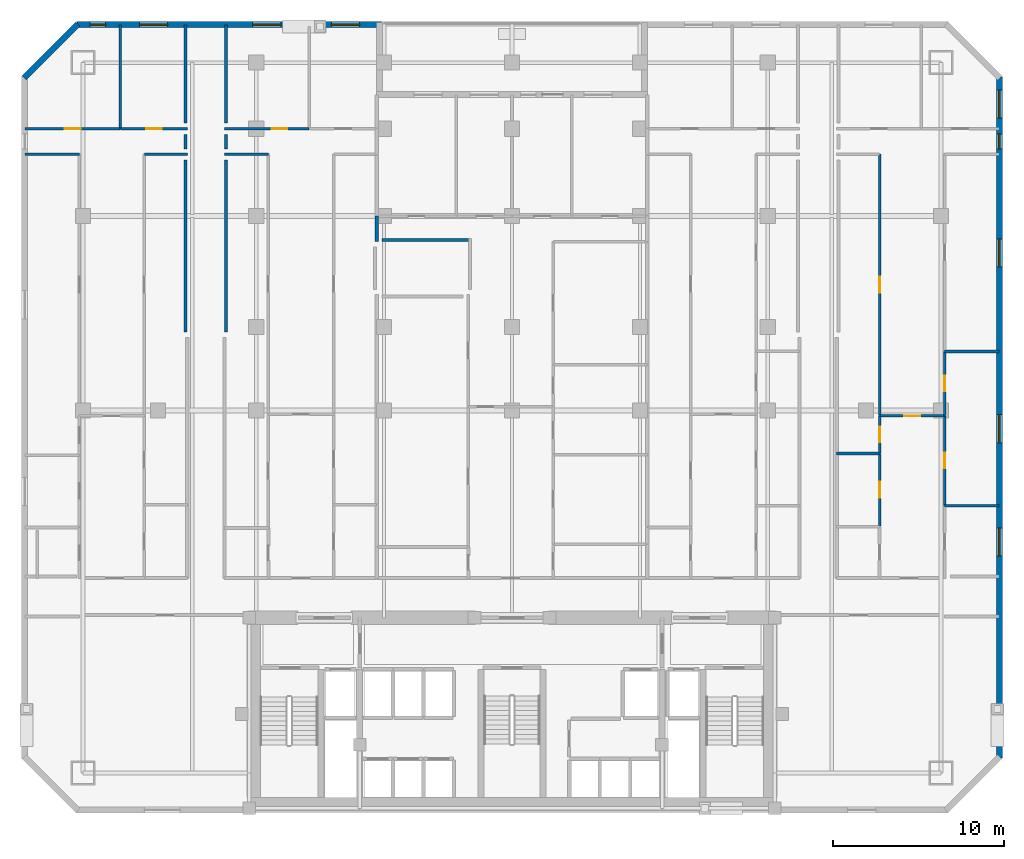
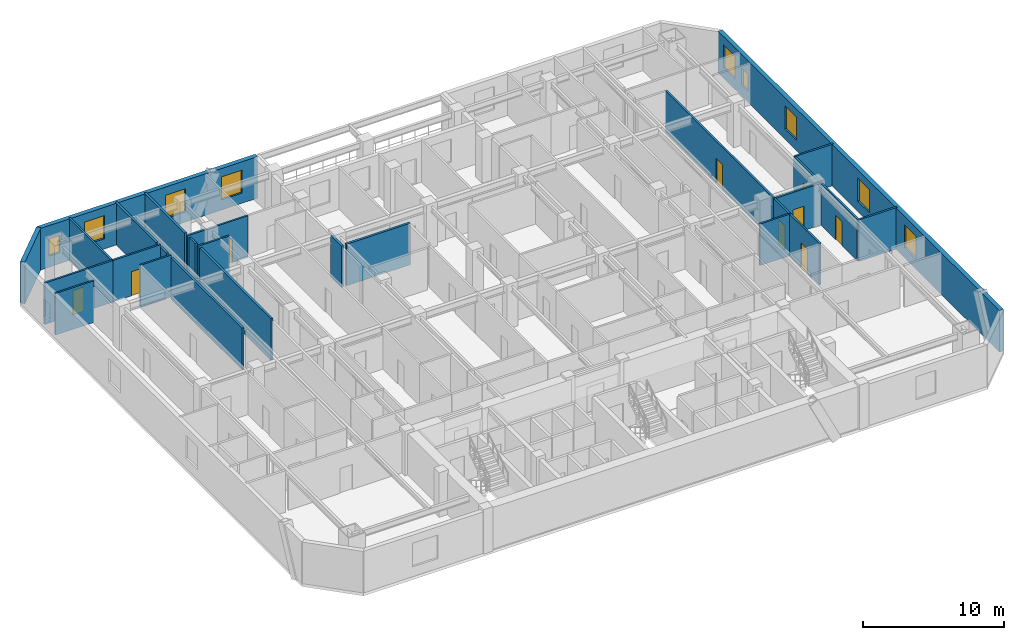
# One storey, part 7 of 10: 27 walls, 9 doors, 9 windows, 18 openings.
"""IFC4 building model written with IfcOpenShell, lengths in metres."""

import ifcopenshell
import ifcopenshell.guid

model = None  # the IFC model being written
_history = None  # IfcOwnerHistory: only IFC2X3 demands one
_inside = {}  # id of a spatial element -> (the spatial element, [elements in it])
_under = {}  # id of a project, library or spatial element -> (it, [spatial elements below it])
_declared = {}  # id of a project -> (the project, [libraries it declares])
_typed = {}  # id of a type object -> (the type object, [elements of that type])
_made_of = {}  # id of a material, layer set ... -> (it, [elements and type objects made of it])


def new_model(schema):
    """Start an empty IFC model of exactly this schema.

    Asked for "IFC4X3", IfcOpenShell would pick the latest addendum, in which some entities
    have other attributes; the version numbers below select the first issue.
    IFC2X3 requires an IfcOwnerHistory on every rooted entity: one is made here for all.
    """
    global model, _history
    if schema == "IFC4X3":
        model = ifcopenshell.file(schema_version=(4, 3, 0, 0))
    else:
        model = ifcopenshell.file(schema=schema)
    _inside.clear()
    _under.clear()
    _declared.clear()
    _typed.clear()
    _made_of.clear()
    _history = None
    if model.schema == "IFC2X3":
        org = make("IfcOrganization", Name="unknown")
        user = make(
            "IfcPersonAndOrganization",
            ThePerson=make("IfcPerson", FamilyName="unknown"),
            TheOrganization=org,
        )
        app = make(
            "IfcApplication",
            ApplicationDeveloper=org,
            Version="unknown",
            ApplicationFullName="unknown",
            ApplicationIdentifier="unknown",
        )
        _history = make(
            "IfcOwnerHistory",
            OwningUser=user,
            OwningApplication=app,
            ChangeAction="ADDED",
            CreationDate=0,
        )
    return model


def make(cls, **values):
    """One entity of the class cls with the attributes given. An attribute that is None is left unset."""
    return model.create_entity(
        cls, **{name: value for name, value in values.items() if value is not None}
    )


def rooted(cls, **values):
    """An entity with a GlobalId (a new one), such as an element, a storey or a relation."""
    return make(cls, GlobalId=ifcopenshell.guid.new(), OwnerHistory=_history, **values)


def si_unit(unit_type, name, prefix=None):
    """IfcSIUnit, for example si_unit("LENGTHUNIT", "METRE", prefix="MILLI")."""
    return make("IfcSIUnit", UnitType=unit_type, Prefix=prefix, Name=name)


def assignment(units):
    """IfcUnitAssignment: the units of a project."""
    return None if units is None else make("IfcUnitAssignment", Units=units)


def point(xyz):
    """IfcCartesianPoint."""
    return None if xyz is None else make("IfcCartesianPoint", Coordinates=xyz)


def direction(xyz):
    """IfcDirection."""
    return None if xyz is None else make("IfcDirection", DirectionRatios=xyz)


def frame(location, z_axis=None, x_axis=None):
    """IfcAxis2Placement3D, a coordinate frame: its origin and axes. An axis left out is left unset."""
    return make(
        "IfcAxis2Placement3D",
        Location=point(location),
        Axis=direction(z_axis),
        RefDirection=direction(x_axis),
    )


def frame_2d(location, x_axis=None):
    """IfcAxis2Placement2D, a coordinate frame in the plane: its origin and x axis."""
    return make(
        "IfcAxis2Placement2D", Location=point(location), RefDirection=direction(x_axis)
    )


def origin():
    """The frame at (0, 0, 0) with its axes left unset."""
    return frame((0.0, 0.0, 0.0))


def place(relative_to, where):
    """IfcLocalPlacement: puts the frame where relative to a parent placement (None: the world)."""
    return make(
        "IfcLocalPlacement", PlacementRelTo=relative_to, RelativePlacement=where
    )


def context(
    kind, dimensions, precision=None, world=None, true_north=None, identifier=None
):
    """IfcGeometricRepresentationContext, for example the 3D "Model" context."""
    return make(
        "IfcGeometricRepresentationContext",
        ContextIdentifier=identifier,
        ContextType=kind,
        CoordinateSpaceDimension=dimensions,
        Precision=precision,
        WorldCoordinateSystem=world,
        TrueNorth=true_north,
    )


def subcontext(parent, identifier, kind, view, scale=None):
    """IfcGeometricRepresentationSubContext, for example "Body" below "Model"."""
    return make(
        "IfcGeometricRepresentationSubContext",
        ContextIdentifier=identifier,
        ContextType=kind,
        ParentContext=parent,
        TargetScale=scale,
        TargetView=view,
    )


def project(units=None, contexts=None):
    """IfcProject with its units and contexts."""
    return rooted(
        "IfcProject",
        Name="project",
        RepresentationContexts=contexts,
        UnitsInContext=assignment(units),
    )


def spatial(cls, under=None, at=None, **own):
    """A site, building, storey or space (cls), placed at a placement, below another one or the project."""
    s = rooted(cls, ObjectPlacement=at, **own)
    if under is not None:
        _under.setdefault(under.id(), (under, []))[1].append(s)
    return s


def profile(cls, at=None, kind="AREA", **sizes):
    """A parametric profile (cls). Its sizes go by their IFC names, for example OverallWidth=200.0."""
    return make(cls, ProfileType=kind, Position=at, **sizes)


def rectangle(**sizes):
    """IfcRectangleProfileDef."""
    return profile("IfcRectangleProfileDef", **sizes)


def extrude(swept, where, along, depth):
    """IfcExtrudedAreaSolid: the profile swept, set in the frame where, extruded along a direction by depth."""
    return make(
        "IfcExtrudedAreaSolid",
        SweptArea=swept,
        Position=where,
        ExtrudedDirection=direction(along),
        Depth=depth,
    )


def shape(context_of_items, identifier, shape_type, items):
    """IfcShapeRepresentation: the items that make up one representation, for example the "Body"."""
    return make(
        "IfcShapeRepresentation",
        ContextOfItems=context_of_items,
        RepresentationIdentifier=identifier,
        RepresentationType=shape_type,
        Items=items,
    )


def material(Name=None, Category=None):
    """IfcMaterial."""
    return make("IfcMaterial", Name=Name, Category=Category)


def layer(
    of_material, thickness, ventilated=None, Name=None, Category=None, Priority=None
):
    """IfcMaterialLayer: one layer of a wall or slab, of a material (None: an air gap)."""
    return make(
        "IfcMaterialLayer",
        Material=of_material,
        LayerThickness=thickness,
        IsVentilated=ventilated,
        Name=Name,
        Category=Category,
        Priority=Priority,
    )


def layer_set(layers, Name=None):
    """IfcMaterialLayerSet."""
    return make("IfcMaterialLayerSet", MaterialLayers=layers, LayerSetName=Name)


def made_of(thing, what):
    """Note that an element or type object is made of a material, layer set ...; save() writes the relation."""
    if what is not None:
        _made_of.setdefault(what.id(), (what, []))[1].append(thing)
    return thing


def type_object(cls, material=None, **own):
    """A type object (cls), such as IfcWallType, which elements share."""
    return made_of(rooted(cls, **own), material)


def element(
    cls,
    number,
    at=None,
    inside=None,
    cuts=None,
    type_object=None,
    material=None,
    context=None,
    identifier="Body",
    shape_type=None,
    held_by="IfcProductDefinitionShape",
    body=None,
    shapes=None,
    **own,
):
    """One element of the class cls, such as IfcWall. Its Tag is "e" and its number.

    at: its placement. inside: the storey or other place that contains it. cuts: it is an
    opening in that element (IfcRelVoidsElement). A single representation is given by context,
    identifier, shape_type and body (its items); several are given by shapes. held_by: the class
    of the entity that holds the representations. save() writes the other relations.
    """
    e = rooted(cls, Tag="e%d" % number, ObjectPlacement=at, **own)
    if body is not None:
        shapes = [shape(context, identifier, shape_type, body)]
    if shapes is not None:
        e.Representation = make(held_by, Representations=shapes)
    if inside is not None:
        _inside.setdefault(inside.id(), (inside, []))[1].append(e)
    if cuts is not None:
        rooted(
            "IfcRelVoidsElement", RelatingBuildingElement=cuts, RelatedOpeningElement=e
        )
    if type_object is not None:
        _typed.setdefault(type_object.id(), (type_object, []))[1].append(e)
    return made_of(e, material)


def fill(opening, filler):
    """IfcRelFillsElement: the door or window that sits in an opening."""
    return rooted(
        "IfcRelFillsElement",
        RelatingOpeningElement=opening,
        RelatedBuildingElement=filler,
    )


def aggregate(whole, parts):
    """IfcRelAggregates: a whole, such as a stair, and the parts it consists of."""
    return rooted("IfcRelAggregates", RelatingObject=whole, RelatedObjects=parts)


def save(model, path):
    """Write the relations noted so far, then the file.

    IfcRelAggregates (storeys below a building ...), IfcRelContainedInSpatialStructure (elements
    in a storey), IfcRelDefinesByType, IfcRelAssociatesMaterial and IfcRelDeclares: one each for
    every whole, place, type object, material and project.
    """
    for whole, parts in _under.values():
        aggregate(whole, parts)
    for where, things in _inside.values():
        rooted(
            "IfcRelContainedInSpatialStructure",
            RelatedElements=things,
            RelatingStructure=where,
        )
    for kind, things in _typed.values():
        rooted("IfcRelDefinesByType", RelatedObjects=things, RelatingType=kind)
    for what, things in _made_of.values():
        rooted("IfcRelAssociatesMaterial", RelatedObjects=things, RelatingMaterial=what)
    for by, libraries in _declared.values():
        rooted("IfcRelDeclares", RelatingContext=by, RelatedDefinitions=libraries)
    model.write(path)


model = new_model("IFC4")

# Units and contexts
model_context = context("Model", 3, precision=1e-05, world=origin(), true_north=direction((0.0, 1.0)))
body_context = subcontext(model_context, "Body", "Model", "MODEL_VIEW")
ifc_project = project(units=[si_unit("LENGTHUNIT", "METRE"), si_unit("AREAUNIT", "SQUARE_METRE"), si_unit("VOLUMEUNIT", "CUBIC_METRE"), si_unit("PLANEANGLEUNIT", "RADIAN"), si_unit("MASSUNIT", "GRAM", prefix="KILO")], contexts=[model_context])

# Site, building, storey
site_placement = place(None, origin())
site = spatial("IfcSite", under=ifc_project, at=site_placement, CompositionType="ELEMENT")
building_placement = place(site_placement, origin())
building = spatial("IfcBuilding", under=site, at=building_placement, Name="Ventersveld Concourse Tower", CompositionType="ELEMENT")
storey_placement = place(building_placement, frame((0.0, 0.0, 64.449951171875)))
storey = spatial("IfcBuildingStorey", under=building, at=storey_placement, Name="L15", CompositionType="ELEMENT", Elevation=64.449951171875)

# Walls
ifc_material_1 = material(Name="Fire-rated autoclaved aerated masonry blockwork", Category="masonry")
ifc_layer_1 = layer(ifc_material_1, 0.179931640625)
ifc_layer_set_1 = layer_set([ifc_layer_1], Name="Fire-rated autoclaved aerated masonry blockwork")
wall_type_1 = type_object("IfcWallType", Name="WL-CORR-180", PredefinedType="PARTITIONING", material=ifc_layer_set_1)
wall_1_placement = place(storey_placement, frame((9.6201171875, 39.794921875, 0.0), z_axis=(0.0, 0.0, 1.0), x_axis=(0.0, -1.0, 0.0)))
element("IfcWall", 1, at=wall_1_placement, inside=storey, type_object=wall_type_1, Name="L15 Room Enclosure Wall SP-L15-15NW-LIV", PredefinedType="PARTITIONING", context=body_context, shape_type="SweptSolid", body=[
    extrude(rectangle(XDim=0.849853515625, YDim=0.179931640625, at=frame_2d((0.4248046875, 0.0))), origin(), (0.0, 0.0, 1.0), 3.60009765625),
])
wall_2_placement = place(storey_placement, frame((9.6201171875, 38.294921875, 0.0), z_axis=(0.0, 0.0, 1.0), x_axis=(0.0, -1.0, 0.0)))
element("IfcWall", 2, at=wall_2_placement, inside=storey, type_object=wall_type_1, Name="L15 Room Enclosure Wall SP-L15-15NW-DENR", PredefinedType="PARTITIONING", context=body_context, shape_type="SweptSolid", body=[
    extrude(rectangle(XDim=10.0849609375, YDim=0.179931640625, at=frame_2d((5.04248046875, 0.0))), origin(), (0.0, 0.0, 1.0), 3.60009765625),
])
wall_3_placement = place(storey_placement, frame((9.6201171875, 46.18994140625, 0.0), z_axis=(0.0, 0.0, 1.0), x_axis=(0.0, -1.0, 0.0)))
element("IfcWall", 3, at=wall_3_placement, inside=storey, type_object=wall_type_1, Name="L15 Room Enclosure Wall SP-L15-15NW-BR2", PredefinedType="PARTITIONING", context=body_context, shape_type="SweptSolid", body=[
    extrude(rectangle(XDim=5.744873046875, YDim=0.179931640625, at=frame_2d((2.87255859375, 0.0))), origin(), (0.0, 0.0, 1.0), 3.60009765625),
])
wall_4_placement = place(storey_placement, frame((11.97998046875, 38.945068359375, 0.0), z_axis=(0.0, 0.0, 1.0), x_axis=(0.0, 1.0, 0.0)))
element("IfcWall", 4, at=wall_4_placement, inside=storey, type_object=wall_type_1, Name="L15 Room Enclosure Wall SP-L15-15CW-LIV", PredefinedType="PARTITIONING", context=body_context, shape_type="SweptSolid", body=[
    extrude(rectangle(XDim=0.849853515625, YDim=0.179931640625, at=frame_2d((0.4248046875, 0.0))), origin(), (0.0, 0.0, 1.0), 3.60009765625),
])
wall_5_placement = place(storey_placement, frame((11.97998046875, 28.2099609375, 0.0), z_axis=(0.0, 0.0, 1.0), x_axis=(0.0, 1.0, 0.0)))
element("IfcWall", 5, at=wall_5_placement, inside=storey, type_object=wall_type_1, Name="L15 Room Enclosure Wall SP-L15-15CW-SEML0", PredefinedType="PARTITIONING", context=body_context, shape_type="SweptSolid", body=[
    extrude(rectangle(XDim=10.0849609375, YDim=0.179931640625, at=frame_2d((5.04248046875, 0.0))), origin(), (0.0, 0.0, 1.0), 3.60009765625),
])
wall_6_placement = place(storey_placement, frame((11.97998046875, 40.445068359375, 0.0), z_axis=(0.0, 0.0, 1.0), x_axis=(0.0, 1.0, 0.0)))
element("IfcWall", 6, at=wall_6_placement, inside=storey, type_object=wall_type_1, Name="L15 Room Enclosure Wall SP-L15-15CW-BR1", PredefinedType="PARTITIONING", context=body_context, shape_type="SweptSolid", body=[
    extrude(rectangle(XDim=5.744873046875, YDim=0.179931640625, at=frame_2d((2.87255859375, 0.0))), origin(), (0.0, 0.0, 1.0), 3.60009765625),
])
wall_7_placement = place(storey_placement, frame((26.379638671875, 33.590087890625, 0.0), z_axis=(0.0, 0.0, 1.0), x_axis=(-1.0, 0.0, 0.0)))
element("IfcWall", 7, at=wall_7_placement, inside=storey, type_object=wall_type_1, Name="L15 Room Enclosure Wall SP-L15-15CM-LIV", PredefinedType="PARTITIONING", context=body_context, shape_type="SweptSolid", body=[
    extrude(rectangle(XDim=5.24462890625, YDim=0.179931640625, at=frame_2d((2.622314453125, 0.0))), origin(), (0.0, 0.0, 1.0), 3.60009765625),
])
ifc_layer_2 = layer(ifc_material_1, 0.199951171875)
ifc_layer_set_2 = layer_set([ifc_layer_2], Name="Fire-rated autoclaved aerated masonry blockwork")
wall_type_2 = type_object("IfcWallType", Name="WL-DEMISE-200", PredefinedType="PARTITIONING", material=ifc_layer_set_2)
wall_8_placement = place(storey_placement, frame((20.81005859375, 33.4951171875, 0.0), z_axis=(0.0, 0.0, 1.0), x_axis=(0.0, 1.0, 0.0)))
element("IfcWall", 8, at=wall_8_placement, inside=storey, type_object=wall_type_2, Name="L15 Interior Partition SP-L15-15CW-DENR-SP-L15-15CM-LIV", PredefinedType="PARTITIONING", context=body_context, shape_type="SweptSolid", body=[
    extrude(rectangle(XDim=1.509765625, YDim=0.199951171875, at=frame_2d((0.7548828125, 0.0))), origin(), (0.0, 0.0, 1.0), 3.60009765625),
])
ifc_material_2 = material(Name="Autoclaved aerated masonry blockwork", Category="masonry")
ifc_layer_3 = layer(ifc_material_2, 0.14990234375)
ifc_layer_set_3 = layer_set([ifc_layer_3], Name="Autoclaved aerated masonry blockwork")
wall_type_3 = type_object("IfcWallType", Name="WL-INT-150", PredefinedType="PARTITIONING", material=ifc_layer_set_3)
wall_9_placement = place(storey_placement, frame((0.2099609375, 38.6201171875, 0.0), z_axis=(0.0, 0.0, 1.0), x_axis=(1.0, 0.0, 0.0)))
element("IfcWall", 9, at=wall_9_placement, inside=storey, type_object=wall_type_3, Name="L15 Interior Partition SP-L15-15NW-LIV-SP-L15-15NW-DENL", PredefinedType="PARTITIONING", context=body_context, shape_type="SweptSolid", body=[
    extrude(rectangle(XDim=3.172119140625, YDim=0.14990234375, at=frame_2d((1.5859375, 0.0))), origin(), (0.0, 0.0, 1.0), 3.60009765625),
])
wall_10_placement = place(storey_placement, frame((7.194091796875, 38.6201171875, 0.0), z_axis=(0.0, 0.0, 1.0), x_axis=(1.0, 0.0, 0.0)))
element("IfcWall", 10, at=wall_10_placement, inside=storey, type_object=wall_type_3, Name="L15 Interior Partition SP-L15-15NW-LIV-SP-L15-15NW-DENR", PredefinedType="PARTITIONING", context=body_context, shape_type="SweptSolid", body=[
    extrude(rectangle(XDim=2.52099609375, YDim=0.14990234375, at=frame_2d((1.260498046875, 0.0))), origin(), (0.0, 0.0, 1.0), 3.60009765625),
])

# Wall, opening, door
wall_11_placement = place(storey_placement, frame((0.2099609375, 40.1201171875, 0.0), z_axis=(0.0, 0.0, 1.0), x_axis=(1.0, 0.0, 0.0)))
wall_11 = element("IfcWall", 11, at=wall_11_placement, inside=storey, type_object=wall_type_3, Name="L15 Interior Partition SP-L15-15NW-LIV-SP-L15-15NW-BR1", PredefinedType="PARTITIONING", context=body_context, shape_type="SweptSolid", body=[
    extrude(rectangle(XDim=5.566162109375, YDim=0.14990234375, at=frame_2d((2.783203125, 0.0))), origin(), (0.0, 0.0, 1.0), 3.60009765625),
])
opening_1_placement = place(wall_11_placement, frame((2.322998046875, 0.0, 0.0)))
opening_1 = element("IfcOpeningElement", 12, at=opening_1_placement, cuts=wall_11, Name="Opening ID1", PredefinedType="OPENING", context=body_context, shape_type="SweptSolid", body=[
    extrude(rectangle(XDim=0.919921875, YDim=2.10009765625, at=frame_2d((0.4599609375, 1.050048828125))), frame((0.0, 0.0849609375, 0.0), z_axis=(0.0, -1.0, 0.0), x_axis=(1.0, 0.0, 0.0)), (0.0, 0.0, 1.0), 0.169921875),
])
ifc_material_3 = material(Name="Solid-core hardwood veneer timber", Category="wood")
door_type = type_object("IfcDoorType", Name="DR-ROOM-092", OperationType="NOTDEFINED", PredefinedType="DOOR", material=ifc_material_3)
door_1_placement = place(opening_1_placement, origin())
door_1 = element("IfcDoor", 13, at=door_1_placement, inside=storey, type_object=door_type, Name="L15 Interior Door SP-L15-15NW-LIV to SP-L15-15NW-BR1 (D-L15-0670)", OperationType="SINGLE_SWING_RIGHT", OverallHeight=2.10009765625, OverallWidth=0.919921875, PredefinedType="DOOR", context=body_context, shape_type="SweptSolid", body=[
    extrude(rectangle(XDim=0.919921875, YDim=2.10009765625, at=frame_2d((0.4599609375, 1.050048828125))), frame((0.0, 0.02490234375, 0.0), z_axis=(0.0, -1.0, 0.0), x_axis=(1.0, 0.0, 0.0)), (0.0, 0.0, 1.0), 0.050048828125),
])
fill(opening_1, door_1)

wall_12_placement = place(storey_placement, frame((5.80615234375, 40.1201171875, 0.0), z_axis=(0.0, 0.0, 1.0), x_axis=(1.0, 0.0, 0.0)))
wall_12 = element("IfcWall", 14, at=wall_12_placement, inside=storey, type_object=wall_type_3, Name="L15 Interior Partition SP-L15-15NW-LIV-SP-L15-15NW-BR2", PredefinedType="PARTITIONING", context=body_context, shape_type="SweptSolid", body=[
    extrude(rectangle(XDim=3.908935546875, YDim=0.14990234375, at=frame_2d((1.95458984375, 0.0))), origin(), (0.0, 0.0, 1.0), 3.60009765625),
])
opening_2_placement = place(wall_12_placement, frame((1.494384765625, 0.0, 0.0)))
opening_2 = element("IfcOpeningElement", 15, at=opening_2_placement, cuts=wall_12, Name="Opening ID1", PredefinedType="OPENING", context=body_context, shape_type="SweptSolid", body=[
    extrude(rectangle(XDim=0.919921875, YDim=2.10009765625, at=frame_2d((0.4599609375, 1.050048828125))), frame((0.0, 0.0849609375, 0.0), z_axis=(0.0, -1.0, 0.0), x_axis=(1.0, 0.0, 0.0)), (0.0, 0.0, 1.0), 0.169921875),
])
door_2_placement = place(opening_2_placement, origin())
door_2 = element("IfcDoor", 16, at=door_2_placement, inside=storey, type_object=door_type, Name="L15 Interior Door SP-L15-15NW-LIV to SP-L15-15NW-BR2 (D-L15-0671)", OperationType="SINGLE_SWING_LEFT", OverallHeight=2.10009765625, OverallWidth=0.919921875, PredefinedType="DOOR", context=body_context, shape_type="SweptSolid", body=[
    extrude(rectangle(XDim=0.919921875, YDim=2.10009765625, at=frame_2d((0.4599609375, 1.050048828125))), frame((0.0, 0.02490234375, 0.0), z_axis=(0.0, -1.0, 0.0), x_axis=(1.0, 0.0, 0.0)), (0.0, 0.0, 1.0), 0.050048828125),
])
fill(opening_2, door_2)

# Wall
wall_13_placement = place(storey_placement, frame((5.771240234375, 40.114990234375, 0.0), z_axis=(0.0, 0.0, 1.0), x_axis=(0.0, 1.0, 0.0)))
element("IfcWall", 17, at=wall_13_placement, inside=storey, type_object=wall_type_3, Name="L15 Interior Partition SP-L15-15NW-BR1-SP-L15-15NW-BR2", PredefinedType="PARTITIONING", context=body_context, shape_type="SweptSolid", body=[
    extrude(rectangle(XDim=6.074951171875, YDim=0.14990234375, at=frame_2d((3.03759765625, 0.0))), origin(), (0.0, 0.0, 1.0), 3.60009765625),
])

# Wall, opening, door
wall_14_placement = place(storey_placement, frame((50.2958984375, 23.2822265625, 0.0), z_axis=(0.0, 0.0, 1.0), x_axis=(1.0, 0.0, 0.0)))
wall_14 = element("IfcWall", 18, at=wall_14_placement, inside=storey, type_object=wall_type_3, Name="L15 Interior Partition SP-L15-15NE-FOY-SP-L15-15NE-LIV", PredefinedType="PARTITIONING", context=body_context, shape_type="SweptSolid", body=[
    extrude(rectangle(XDim=3.83203125, YDim=0.14990234375, at=frame_2d((1.916015625, 0.0))), origin(), (0.0, 0.0, 1.0), 3.60009765625),
])
opening_3_placement = place(wall_14_placement, frame((1.4560546875, 0.0, 0.0)))
opening_3 = element("IfcOpeningElement", 19, at=opening_3_placement, cuts=wall_14, Name="Opening ID1", PredefinedType="OPENING", context=body_context, shape_type="SweptSolid", body=[
    extrude(rectangle(XDim=0.919921875, YDim=2.10009765625, at=frame_2d((0.4599609375, 1.050048828125))), frame((0.0, 0.0849609375, 0.0), z_axis=(0.0, -1.0, 0.0), x_axis=(1.0, 0.0, 0.0)), (0.0, 0.0, 1.0), 0.169921875),
])
door_3_placement = place(opening_3_placement, origin())
door_3 = element("IfcDoor", 20, at=door_3_placement, inside=storey, type_object=door_type, Name="L15 Interior Door SP-L15-15NE-FOY to SP-L15-15NE-LIV (D-L15-0672)", OperationType="SINGLE_SWING_RIGHT", OverallHeight=2.10009765625, OverallWidth=0.919921875, PredefinedType="DOOR", context=body_context, shape_type="SweptSolid", body=[
    extrude(rectangle(XDim=0.919921875, YDim=2.10009765625, at=frame_2d((0.4599609375, 1.050048828125))), frame((0.0, 0.02490234375, 0.0), z_axis=(0.0, -1.0, 0.0), x_axis=(1.0, 0.0, 0.0)), (0.0, 0.0, 1.0), 0.050048828125),
])
fill(opening_3, door_3)

wall_15_placement = place(storey_placement, frame((50.30078125, 16.81640625, 0.0), z_axis=(0.0, 0.0, 1.0), x_axis=(0.0, 1.0, 0.0)))
wall_15 = element("IfcWall", 21, at=wall_15_placement, inside=storey, type_object=wall_type_3, Name="L15 Interior Partition SP-L15-15NE-FOY-SP-L15-15NE-PANL0", PredefinedType="PARTITIONING", context=body_context, shape_type="SweptSolid", body=[
    extrude(rectangle(XDim=4.268798828125, YDim=0.14990234375, at=frame_2d((2.13427734375, 0.0))), origin(), (0.0, 0.0, 1.0), 3.60009765625),
])
opening_4_placement = place(wall_15_placement, frame((1.67431640625, 0.0, 0.0)))
opening_4 = element("IfcOpeningElement", 22, at=opening_4_placement, cuts=wall_15, Name="Opening ID1", PredefinedType="OPENING", context=body_context, shape_type="SweptSolid", body=[
    extrude(rectangle(XDim=0.919921875, YDim=2.10009765625, at=frame_2d((0.4599609375, 1.050048828125))), frame((0.0, 0.0849609375, 0.0), z_axis=(0.0, -1.0, 0.0), x_axis=(1.0, 0.0, 0.0)), (0.0, 0.0, 1.0), 0.169921875),
])
door_4_placement = place(opening_4_placement, origin())
door_4 = element("IfcDoor", 23, at=door_4_placement, inside=storey, type_object=door_type, Name="L15 Interior Door SP-L15-15NE-FOY to SP-L15-15NE-PANL0 (D-L15-0674)", OperationType="SINGLE_SWING_RIGHT", OverallHeight=2.10009765625, OverallWidth=0.919921875, PredefinedType="DOOR", context=body_context, shape_type="SweptSolid", body=[
    extrude(rectangle(XDim=0.919921875, YDim=2.10009765625, at=frame_2d((0.4599609375, 1.050048828125))), frame((0.0, 0.02490234375, 0.0), z_axis=(0.0, -1.0, 0.0), x_axis=(1.0, 0.0, 0.0)), (0.0, 0.0, 1.0), 0.050048828125),
])
fill(opening_4, door_4)

wall_16_placement = place(storey_placement, frame((50.30078125, 21.114990234375, 0.0), z_axis=(0.0, 0.0, 1.0), x_axis=(0.0, 1.0, 0.0)))
wall_16 = element("IfcWall", 24, at=wall_16_placement, inside=storey, type_object=wall_type_3, Name="L15 Interior Partition SP-L15-15NE-FOY-SP-L15-15NE-DENL", PredefinedType="PARTITIONING", context=body_context, shape_type="SweptSolid", body=[
    extrude(rectangle(XDim=2.172119140625, YDim=0.14990234375, at=frame_2d((1.0859375, 0.0))), origin(), (0.0, 0.0, 1.0), 3.60009765625),
])
opening_5_placement = place(wall_16_placement, frame((0.6259765625, 0.0, 0.0)))
opening_5 = element("IfcOpeningElement", 25, at=opening_5_placement, cuts=wall_16, Name="Opening ID1", PredefinedType="OPENING", context=body_context, shape_type="SweptSolid", body=[
    extrude(rectangle(XDim=0.919921875, YDim=2.10009765625, at=frame_2d((0.4599609375, 1.050048828125))), frame((0.0, 0.0849609375, 0.0), z_axis=(0.0, -1.0, 0.0), x_axis=(1.0, 0.0, 0.0)), (0.0, 0.0, 1.0), 0.169921875),
])
door_5_placement = place(opening_5_placement, origin())
door_5 = element("IfcDoor", 26, at=door_5_placement, inside=storey, type_object=door_type, Name="L15 Interior Door SP-L15-15NE-FOY to SP-L15-15NE-DENL (D-L15-0675)", OperationType="SINGLE_SWING_LEFT", OverallHeight=2.10009765625, OverallWidth=0.919921875, PredefinedType="DOOR", context=body_context, shape_type="SweptSolid", body=[
    extrude(rectangle(XDim=0.919921875, YDim=2.10009765625, at=frame_2d((0.4599609375, 1.050048828125))), frame((0.0, 0.02490234375, 0.0), z_axis=(0.0, -1.0, 0.0), x_axis=(1.0, 0.0, 0.0)), (0.0, 0.0, 1.0), 0.050048828125),
])
fill(opening_5, door_5)

wall_17_placement = place(storey_placement, frame((54.122802734375, 18.04052734375, 0.0), z_axis=(0.0, 0.0, 1.0), x_axis=(0.0, 1.0, 0.0)))
wall_17 = element("IfcWall", 27, at=wall_17_placement, inside=storey, type_object=wall_type_3, Name="L15 Interior Partition SP-L15-15NE-FOY-SP-L15-15NE-DENR", PredefinedType="PARTITIONING", context=body_context, shape_type="SweptSolid", body=[
    extrude(rectangle(XDim=5.24658203125, YDim=0.14990234375, at=frame_2d((2.623291015625, 0.0))), origin(), (0.0, 0.0, 1.0), 3.60009765625),
])
opening_6_placement = place(wall_17_placement, frame((2.163330078125, 0.0, 0.0)))
opening_6 = element("IfcOpeningElement", 28, at=opening_6_placement, cuts=wall_17, Name="Opening ID1", PredefinedType="OPENING", context=body_context, shape_type="SweptSolid", body=[
    extrude(rectangle(XDim=0.919921875, YDim=2.10009765625, at=frame_2d((0.4599609375, 1.050048828125))), frame((0.0, 0.0849609375, 0.0), z_axis=(0.0, -1.0, 0.0), x_axis=(1.0, 0.0, 0.0)), (0.0, 0.0, 1.0), 0.169921875),
])
door_6_placement = place(opening_6_placement, origin())
door_6 = element("IfcDoor", 29, at=door_6_placement, inside=storey, type_object=door_type, Name="L15 Interior Door SP-L15-15NE-FOY to SP-L15-15NE-DENR (D-L15-0677)", OperationType="SINGLE_SWING_LEFT", OverallHeight=2.10009765625, OverallWidth=0.919921875, PredefinedType="DOOR", context=body_context, shape_type="SweptSolid", body=[
    extrude(rectangle(XDim=0.919921875, YDim=2.10009765625, at=frame_2d((0.4599609375, 1.050048828125))), frame((0.0, 0.02490234375, 0.0), z_axis=(0.0, -1.0, 0.0), x_axis=(1.0, 0.0, 0.0)), (0.0, 0.0, 1.0), 0.050048828125),
])
fill(opening_6, door_6)

wall_18_placement = place(storey_placement, frame((50.30078125, 23.317138671875, 0.0), z_axis=(0.0, 0.0, 1.0), x_axis=(0.0, 1.0, 0.0)))
wall_18 = element("IfcWall", 30, at=wall_18_placement, inside=storey, type_object=wall_type_3, Name="L15 Interior Partition SP-L15-15NE-LIV-SP-L15-15NE-DENL", PredefinedType="PARTITIONING", context=body_context, shape_type="SweptSolid", body=[
    extrude(rectangle(XDim=15.307861328125, YDim=0.14990234375, at=frame_2d((7.65380859375, 0.0))), origin(), (0.0, 0.0, 1.0), 3.60009765625),
])
opening_7_placement = place(wall_18_placement, frame((7.19384765625, 0.0, 0.0)))
opening_7 = element("IfcOpeningElement", 31, at=opening_7_placement, cuts=wall_18, Name="Opening ID1", PredefinedType="OPENING", context=body_context, shape_type="SweptSolid", body=[
    extrude(rectangle(XDim=0.919921875, YDim=2.10009765625, at=frame_2d((0.4599609375, 1.050048828125))), frame((0.0, 0.0849609375, 0.0), z_axis=(0.0, -1.0, 0.0), x_axis=(1.0, 0.0, 0.0)), (0.0, 0.0, 1.0), 0.169921875),
])
door_7_placement = place(opening_7_placement, origin())
door_7 = element("IfcDoor", 32, at=door_7_placement, inside=storey, type_object=door_type, Name="L15 Interior Door SP-L15-15NE-LIV to SP-L15-15NE-DENL (D-L15-0678)", OperationType="SINGLE_SWING_RIGHT", OverallHeight=2.10009765625, OverallWidth=0.919921875, PredefinedType="DOOR", context=body_context, shape_type="SweptSolid", body=[
    extrude(rectangle(XDim=0.919921875, YDim=2.10009765625, at=frame_2d((0.4599609375, 1.050048828125))), frame((0.0, 0.02490234375, 0.0), z_axis=(0.0, -1.0, 0.0), x_axis=(1.0, 0.0, 0.0)), (0.0, 0.0, 1.0), 0.050048828125),
])
fill(opening_7, door_7)

wall_19_placement = place(storey_placement, frame((54.122802734375, 23.317138671875, 0.0), z_axis=(0.0, 0.0, 1.0), x_axis=(0.0, 1.0, 0.0)))
wall_19 = element("IfcWall", 33, at=wall_19_placement, inside=storey, type_object=wall_type_3, Name="L15 Interior Partition SP-L15-15NE-LIV-SP-L15-15NE-DENR", PredefinedType="PARTITIONING", context=body_context, shape_type="SweptSolid", body=[
    extrude(rectangle(XDim=3.74755859375, YDim=0.14990234375, at=frame_2d((1.873779296875, 0.0))), origin(), (0.0, 0.0, 1.0), 3.60009765625),
])
opening_8_placement = place(wall_19_placement, frame((1.413818359375, 0.0, 0.0)))
opening_8 = element("IfcOpeningElement", 34, at=opening_8_placement, cuts=wall_19, Name="Opening ID1", PredefinedType="OPENING", context=body_context, shape_type="SweptSolid", body=[
    extrude(rectangle(XDim=0.919921875, YDim=2.10009765625, at=frame_2d((0.4599609375, 1.050048828125))), frame((0.0, 0.0849609375, 0.0), z_axis=(0.0, -1.0, 0.0), x_axis=(1.0, 0.0, 0.0)), (0.0, 0.0, 1.0), 0.169921875),
])
door_8_placement = place(opening_8_placement, origin())
door_8 = element("IfcDoor", 35, at=door_8_placement, inside=storey, type_object=door_type, Name="L15 Interior Door SP-L15-15NE-LIV to SP-L15-15NE-DENR (D-L15-0679)", OperationType="SINGLE_SWING_LEFT", OverallHeight=2.10009765625, OverallWidth=0.919921875, PredefinedType="DOOR", context=body_context, shape_type="SweptSolid", body=[
    extrude(rectangle(XDim=0.919921875, YDim=2.10009765625, at=frame_2d((0.4599609375, 1.050048828125))), frame((0.0, 0.02490234375, 0.0), z_axis=(0.0, -1.0, 0.0), x_axis=(1.0, 0.0, 0.0)), (0.0, 0.0, 1.0), 0.050048828125),
])
fill(opening_8, door_8)

# Walls
wall_20_placement = place(storey_placement, frame((47.784912109375, 21.080078125, 0.0), z_axis=(0.0, 0.0, 1.0), x_axis=(1.0, 0.0, 0.0)))
element("IfcWall", 36, at=wall_20_placement, inside=storey, type_object=wall_type_3, Name="L15 Interior Partition SP-L15-15NE-PANL0-SP-L15-15NE-DENL", PredefinedType="PARTITIONING", context=body_context, shape_type="SweptSolid", body=[
    extrude(rectangle(XDim=2.52099609375, YDim=0.14990234375, at=frame_2d((1.260498046875, 0.0))), origin(), (0.0, 0.0, 1.0), 3.60009765625),
])
for number, where, z_axis, x_axis, name in (
    (37, (54.117919921875, 18.005615234375, 0.0), (0.0, 0.0, 1.0), (1.0, 0.0, 0.0), "L15 Interior Partition SP-L15-15NE-KIT-SP-L15-15NE-DENR"),
    (38, (54.117919921875, 27.059814453125, 0.0), (0.0, 0.0, 1.0), (1.0, 0.0, 0.0), "L15 Interior Partition SP-L15-15NE-DENR-SP-L15-15NE-DENS"),
):
    element("IfcWall", number, at=place(storey_placement, frame(where, z_axis=z_axis, x_axis=x_axis)), inside=storey, type_object=wall_type_3, Name=name, PredefinedType="PARTITIONING", context=body_context, shape_type="SweptSolid", body=[
        extrude(rectangle(XDim=3.172119140625, YDim=0.14990234375, at=frame_2d((1.5859375, 0.0))), origin(), (0.0, 0.0, 1.0), 3.60009765625),
    ])
wall_21_placement = place(storey_placement, frame((11.885009765625, 38.6201171875, 0.0), z_axis=(0.0, 0.0, 1.0), x_axis=(1.0, 0.0, 0.0)))
element("IfcWall", 39, at=wall_21_placement, inside=storey, type_object=wall_type_3, Name="L15 Interior Partition SP-L15-15CW-LIV-SP-L15-15CW-SEML0", PredefinedType="PARTITIONING", context=body_context, shape_type="SweptSolid", body=[
    extrude(rectangle(XDim=2.586181640625, YDim=0.14990234375, at=frame_2d((1.29296875, 0.0))), origin(), (0.0, 0.0, 1.0), 3.60009765625),
])

# Wall, opening, door
wall_22_placement = place(storey_placement, frame((11.885009765625, 40.1201171875, 0.0), z_axis=(0.0, 0.0, 1.0), x_axis=(1.0, 0.0, 0.0)))
wall_22 = element("IfcWall", 40, at=wall_22_placement, inside=storey, type_object=wall_type_3, Name="L15 Interior Partition SP-L15-15CW-LIV-SP-L15-15CW-BR1", PredefinedType="PARTITIONING", context=body_context, shape_type="SweptSolid", body=[
    extrude(rectangle(XDim=4.973388671875, YDim=0.14990234375, at=frame_2d((2.48681640625, 0.0))), origin(), (0.0, 0.0, 1.0), 3.60009765625),
])
opening_9_placement = place(wall_22_placement, frame((2.772705078125, 0.0, 0.0)))
opening_9 = element("IfcOpeningElement", 41, at=opening_9_placement, cuts=wall_22, Name="Opening ID1", PredefinedType="OPENING", context=body_context, shape_type="SweptSolid", body=[
    extrude(rectangle(XDim=0.919921875, YDim=2.10009765625, at=frame_2d((0.4599609375, 1.050048828125))), frame((0.0, 0.0849609375, 0.0), z_axis=(0.0, -1.0, 0.0), x_axis=(1.0, 0.0, 0.0)), (0.0, 0.0, 1.0), 0.169921875),
])
door_9_placement = place(opening_9_placement, origin())
door_9 = element("IfcDoor", 42, at=door_9_placement, inside=storey, type_object=door_type, Name="L15 Interior Door SP-L15-15CW-LIV to SP-L15-15CW-BR1 (D-L15-0690)", OperationType="SINGLE_SWING_RIGHT", OverallHeight=2.10009765625, OverallWidth=0.919921875, PredefinedType="DOOR", context=body_context, shape_type="SweptSolid", body=[
    extrude(rectangle(XDim=0.919921875, YDim=2.10009765625, at=frame_2d((0.4599609375, 1.050048828125))), frame((0.0, 0.02490234375, 0.0), z_axis=(0.0, -1.0, 0.0), x_axis=(1.0, 0.0, 0.0)), (0.0, 0.0, 1.0), 0.050048828125),
])
fill(opening_9, door_9)

# Wall, openings, windows
ifc_material_4 = material(Name="Precast concrete C45/55", Category="concrete")
ifc_layer_4 = layer(ifc_material_4, 0.35009765625)
ifc_layer_set_4 = layer_set([ifc_layer_4], Name="Precast concrete C45/55")
wall_type_4 = type_object("IfcWallType", Name="WL-PREC-350", PredefinedType="SOLIDWALL", material=ifc_layer_set_4)
wall_23_placement = place(storey_placement, frame((57.324951171875, 3.239990234375, 0.0), z_axis=(0.0, 0.0, 1.0), x_axis=(0.0, 1.0, 0.0)))
wall_23 = element("IfcWall", 43, at=wall_23_placement, inside=storey, type_object=wall_type_4, Name="L15 Highveld Precast Facade Wall E03", PredefinedType="SOLIDWALL", context=body_context, shape_type="SweptSolid", body=[
    extrude(rectangle(XDim=39.919921875, YDim=0.35009765625, at=frame_2d((19.9599609375, 0.0))), origin(), (0.0, 0.0, 1.0), 3.60009765625),
])
opening_10_placement = place(wall_23_placement, frame((35.679931640625, 0.0, 0.949951171875)))
opening_10 = element("IfcOpeningElement", 44, at=opening_10_placement, cuts=wall_23, Name="Opening W4", PredefinedType="OPENING", context=body_context, shape_type="SweptSolid", body=[
    extrude(rectangle(XDim=0.89990234375, YDim=1.5, at=frame_2d((0.449951171875, 0.75))), frame((0.0, 0.18505859375, 0.0), z_axis=(0.0, -1.0, 0.0), x_axis=(1.0, 0.0, 0.0)), (0.0, 0.0, 1.0), 0.3701171875),
])
opening_11_placement = place(wall_23_placement, frame((11.82275390625, 0.0, 0.8798828125)))
opening_11 = element("IfcOpeningElement", 45, at=opening_11_placement, cuts=wall_23, Name="Opening W6", PredefinedType="OPENING", context=body_context, shape_type="SweptSolid", body=[
    extrude(rectangle(XDim=1.64990234375, YDim=2.0, at=frame_2d((0.824951171875, 1.0))), frame((0.0, 0.18505859375, 0.0), z_axis=(0.0, -1.0, 0.0), x_axis=(1.0, 0.0, 0.0)), (0.0, 0.0, 1.0), 0.3701171875),
])
opening_12_placement = place(wall_23_placement, frame((18.4677734375, 0.0, 0.8798828125)))
opening_12 = element("IfcOpeningElement", 46, at=opening_12_placement, cuts=wall_23, Name="Opening W6", PredefinedType="OPENING", context=body_context, shape_type="SweptSolid", body=[
    extrude(rectangle(XDim=1.64990234375, YDim=2.0, at=frame_2d((0.824951171875, 1.0))), frame((0.0, 0.18505859375, 0.0), z_axis=(0.0, -1.0, 0.0), x_axis=(1.0, 0.0, 0.0)), (0.0, 0.0, 1.0), 0.3701171875),
])
opening_13_placement = place(wall_23_placement, frame((28.77490234375, 0.0, 0.8798828125)))
opening_13 = element("IfcOpeningElement", 47, at=opening_13_placement, cuts=wall_23, Name="Opening W6", PredefinedType="OPENING", context=body_context, shape_type="SweptSolid", body=[
    extrude(rectangle(XDim=1.64990234375, YDim=2.0, at=frame_2d((0.824951171875, 1.0))), frame((0.0, 0.18505859375, 0.0), z_axis=(0.0, -1.0, 0.0), x_axis=(1.0, 0.0, 0.0)), (0.0, 0.0, 1.0), 0.3701171875),
])
opening_14_placement = place(wall_23_placement, frame((37.5, 0.0, 0.8798828125)))
opening_14 = element("IfcOpeningElement", 48, at=opening_14_placement, cuts=wall_23, Name="Opening W6", PredefinedType="OPENING", context=body_context, shape_type="SweptSolid", body=[
    extrude(rectangle(XDim=1.64990234375, YDim=2.0, at=frame_2d((0.824951171875, 1.0))), frame((0.0, 0.18505859375, 0.0), z_axis=(0.0, -1.0, 0.0), x_axis=(1.0, 0.0, 0.0)), (0.0, 0.0, 1.0), 0.3701171875),
])
ifc_material_5 = material(Name="Tempered acoustic Low-E IGU", Category="glass")
window_type_1 = type_object("IfcWindowType", Name="WIN-090x150", PartitioningType="SINGLE_PANEL", PredefinedType="WINDOW", material=ifc_material_5)
window_1_placement = place(opening_10_placement, origin())
window_1 = element("IfcWindow", 49, at=window_1_placement, inside=storey, type_object=window_type_1, Name="L15 Punched Low-E Window W-0130", OverallHeight=1.5, OverallWidth=0.89990234375, PartitioningType="SINGLE_PANEL", PredefinedType="WINDOW", context=body_context, shape_type="SweptSolid", body=[
    extrude(rectangle(XDim=0.89990234375, YDim=1.5, at=frame_2d((0.449951171875, 0.75))), frame((0.0, 0.030029296875, 0.0), z_axis=(0.0, -1.0, 0.0), x_axis=(1.0, 0.0, 0.0)), (0.0, 0.0, 1.0), 0.06005859375),
])
fill(opening_10, window_1)
window_type_2 = type_object("IfcWindowType", Name="WIN-165x200", PartitioningType="SINGLE_PANEL", PredefinedType="WINDOW", material=ifc_material_5)
window_2_placement = place(opening_11_placement, origin())
window_2 = element("IfcWindow", 50, at=window_2_placement, inside=storey, type_object=window_type_2, Name="L15 Punched Low-E Window W-0131", OverallHeight=2.0, OverallWidth=1.64990234375, PartitioningType="SINGLE_PANEL", PredefinedType="WINDOW", context=body_context, shape_type="SweptSolid", body=[
    extrude(rectangle(XDim=1.64990234375, YDim=2.0, at=frame_2d((0.824951171875, 1.0))), frame((0.0, 0.030029296875, 0.0), z_axis=(0.0, -1.0, 0.0), x_axis=(1.0, 0.0, 0.0)), (0.0, 0.0, 1.0), 0.06005859375),
])
fill(opening_11, window_2)
window_3_placement = place(opening_12_placement, origin())
window_3 = element("IfcWindow", 51, at=window_3_placement, inside=storey, type_object=window_type_2, Name="L15 Punched Low-E Window W-0132", OverallHeight=2.0, OverallWidth=1.64990234375, PartitioningType="SINGLE_PANEL", PredefinedType="WINDOW", context=body_context, shape_type="SweptSolid", body=[
    extrude(rectangle(XDim=1.64990234375, YDim=2.0, at=frame_2d((0.824951171875, 1.0))), frame((0.0, 0.030029296875, 0.0), z_axis=(0.0, -1.0, 0.0), x_axis=(1.0, 0.0, 0.0)), (0.0, 0.0, 1.0), 0.06005859375),
])
fill(opening_12, window_3)
window_4_placement = place(opening_13_placement, origin())
window_4 = element("IfcWindow", 52, at=window_4_placement, inside=storey, type_object=window_type_2, Name="L15 Punched Low-E Window W-0133", OverallHeight=2.0, OverallWidth=1.64990234375, PartitioningType="SINGLE_PANEL", PredefinedType="WINDOW", context=body_context, shape_type="SweptSolid", body=[
    extrude(rectangle(XDim=1.64990234375, YDim=2.0, at=frame_2d((0.824951171875, 1.0))), frame((0.0, 0.030029296875, 0.0), z_axis=(0.0, -1.0, 0.0), x_axis=(1.0, 0.0, 0.0)), (0.0, 0.0, 1.0), 0.06005859375),
])
fill(opening_13, window_4)
window_5_placement = place(opening_14_placement, origin())
window_5 = element("IfcWindow", 53, at=window_5_placement, inside=storey, type_object=window_type_2, Name="L15 Punched Low-E Window W-0135", OverallHeight=2.0, OverallWidth=1.64990234375, PartitioningType="SINGLE_PANEL", PredefinedType="WINDOW", context=body_context, shape_type="SweptSolid", body=[
    extrude(rectangle(XDim=1.64990234375, YDim=2.0, at=frame_2d((0.824951171875, 1.0))), frame((0.0, 0.030029296875, 0.0), z_axis=(0.0, -1.0, 0.0), x_axis=(1.0, 0.0, 0.0)), (0.0, 0.0, 1.0), 0.06005859375),
])
fill(opening_14, window_5)

wall_24_placement = place(storey_placement, frame((21.110107421875, 46.22509765625, 0.0), z_axis=(0.0, 0.0, 1.0), x_axis=(-1.0, 0.0, 0.0)))
wall_24 = element("IfcWall", 54, at=wall_24_placement, inside=storey, type_object=wall_type_4, Name="L15 Highveld Precast Facade Wall E09", PredefinedType="SOLIDWALL", context=body_context, shape_type="SweptSolid", body=[
    extrude(rectangle(XDim=17.8701171875, YDim=0.35009765625, at=frame_2d((8.93505859375, 0.0))), origin(), (0.0, 0.0, 1.0), 3.60009765625),
])
opening_15_placement = place(wall_24_placement, frame((16.18994140625, 0.0, 0.949951171875)))
opening_15 = element("IfcOpeningElement", 55, at=opening_15_placement, cuts=wall_24, Name="Opening W4", PredefinedType="OPENING", context=body_context, shape_type="SweptSolid", body=[
    extrude(rectangle(XDim=0.89990234375, YDim=1.5, at=frame_2d((0.449951171875, 0.75))), frame((0.0, 0.18505859375, 0.0), z_axis=(0.0, -1.0, 0.0), x_axis=(1.0, 0.0, 0.0)), (0.0, 0.0, 1.0), 0.3701171875),
])
opening_16_placement = place(wall_24_placement, frame((12.54443359375, 0.0, 0.8798828125)))
opening_16 = element("IfcOpeningElement", 56, at=opening_16_placement, cuts=wall_24, Name="Opening W6", PredefinedType="OPENING", context=body_context, shape_type="SweptSolid", body=[
    extrude(rectangle(XDim=1.64990234375, YDim=2.0, at=frame_2d((0.824951171875, 1.0))), frame((0.0, 0.18505859375, 0.0), z_axis=(0.0, -1.0, 0.0), x_axis=(1.0, 0.0, 0.0)), (0.0, 0.0, 1.0), 0.3701171875),
])
opening_17_placement = place(wall_24_placement, frame((5.9130859375, 0.0, 0.8798828125)))
opening_17 = element("IfcOpeningElement", 57, at=opening_17_placement, cuts=wall_24, Name="Opening W6", PredefinedType="OPENING", context=body_context, shape_type="SweptSolid", body=[
    extrude(rectangle(XDim=1.64990234375, YDim=2.0, at=frame_2d((0.824951171875, 1.0))), frame((0.0, 0.18505859375, 0.0), z_axis=(0.0, -1.0, 0.0), x_axis=(1.0, 0.0, 0.0)), (0.0, 0.0, 1.0), 0.3701171875),
])
opening_18_placement = place(wall_24_placement, frame((1.297119140625, 0.0, 0.8798828125)))
opening_18 = element("IfcOpeningElement", 58, at=opening_18_placement, cuts=wall_24, Name="Opening W6", PredefinedType="OPENING", context=body_context, shape_type="SweptSolid", body=[
    extrude(rectangle(XDim=1.64990234375, YDim=2.0, at=frame_2d((0.824951171875, 1.0))), frame((0.0, 0.18505859375, 0.0), z_axis=(0.0, -1.0, 0.0), x_axis=(1.0, 0.0, 0.0)), (0.0, 0.0, 1.0), 0.3701171875),
])
window_6_placement = place(opening_15_placement, origin())
window_6 = element("IfcWindow", 59, at=window_6_placement, inside=storey, type_object=window_type_1, Name="L15 Punched Low-E Window W-0128", OverallHeight=1.5, OverallWidth=0.89990234375, PartitioningType="SINGLE_PANEL", PredefinedType="WINDOW", context=body_context, shape_type="SweptSolid", body=[
    extrude(rectangle(XDim=0.89990234375, YDim=1.5, at=frame_2d((0.449951171875, 0.75))), frame((0.0, 0.030029296875, 0.0), z_axis=(0.0, -1.0, 0.0), x_axis=(1.0, 0.0, 0.0)), (0.0, 0.0, 1.0), 0.06005859375),
])
fill(opening_15, window_6)
window_7_placement = place(opening_16_placement, origin())
window_7 = element("IfcWindow", 60, at=window_7_placement, inside=storey, type_object=window_type_2, Name="L15 Punched Low-E Window W-0129", OverallHeight=2.0, OverallWidth=1.64990234375, PartitioningType="SINGLE_PANEL", PredefinedType="WINDOW", context=body_context, shape_type="SweptSolid", body=[
    extrude(rectangle(XDim=1.64990234375, YDim=2.0, at=frame_2d((0.824951171875, 1.0))), frame((0.0, 0.030029296875, 0.0), z_axis=(0.0, -1.0, 0.0), x_axis=(1.0, 0.0, 0.0)), (0.0, 0.0, 1.0), 0.06005859375),
])
fill(opening_16, window_7)
window_8_placement = place(opening_17_placement, origin())
window_8 = element("IfcWindow", 61, at=window_8_placement, inside=storey, type_object=window_type_2, Name="L15 Punched Low-E Window W-0136", OverallHeight=2.0, OverallWidth=1.64990234375, PartitioningType="SINGLE_PANEL", PredefinedType="WINDOW", context=body_context, shape_type="SweptSolid", body=[
    extrude(rectangle(XDim=1.64990234375, YDim=2.0, at=frame_2d((0.824951171875, 1.0))), frame((0.0, 0.030029296875, 0.0), z_axis=(0.0, -1.0, 0.0), x_axis=(1.0, 0.0, 0.0)), (0.0, 0.0, 1.0), 0.06005859375),
])
fill(opening_17, window_8)
window_9_placement = place(opening_18_placement, origin())
window_9 = element("IfcWindow", 62, at=window_9_placement, inside=storey, type_object=window_type_2, Name="L15 Punched Low-E Window W-0137", OverallHeight=2.0, OverallWidth=1.64990234375, PartitioningType="SINGLE_PANEL", PredefinedType="WINDOW", context=body_context, shape_type="SweptSolid", body=[
    extrude(rectangle(XDim=1.64990234375, YDim=2.0, at=frame_2d((0.824951171875, 1.0))), frame((0.0, 0.030029296875, 0.0), z_axis=(0.0, -1.0, 0.0), x_axis=(1.0, 0.0, 0.0)), (0.0, 0.0, 1.0), 0.06005859375),
])
fill(opening_18, window_9)

# Wall
wall_25_placement = place(storey_placement, frame((3.29541015625, 46.248046875, 0.0), z_axis=(0.0, 0.0, 1.0), x_axis=(-0.707079321262, -0.707134240044, 0.0)))
element("IfcWall", 63, at=wall_25_placement, inside=storey, type_object=wall_type_4, Name="L15 Highveld Precast Facade Wall E10", PredefinedType="SOLIDWALL", context=body_context, shape_type="SweptSolid", body=[
    extrude(rectangle(XDim=4.445556640625, YDim=0.35009765625, at=frame_2d((2.22265625, 0.0))), origin(), (0.0, 0.0, 1.0), 3.60009765625),
])

save(model, "model.ifc")
